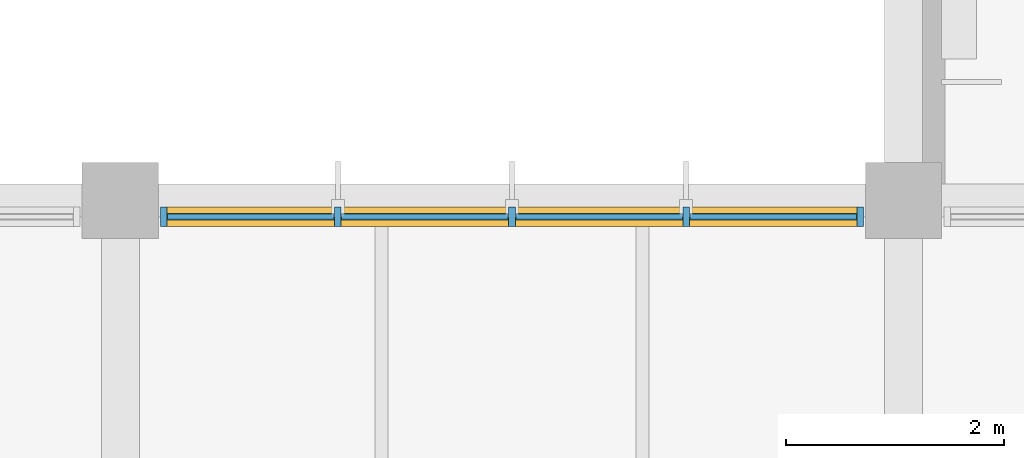
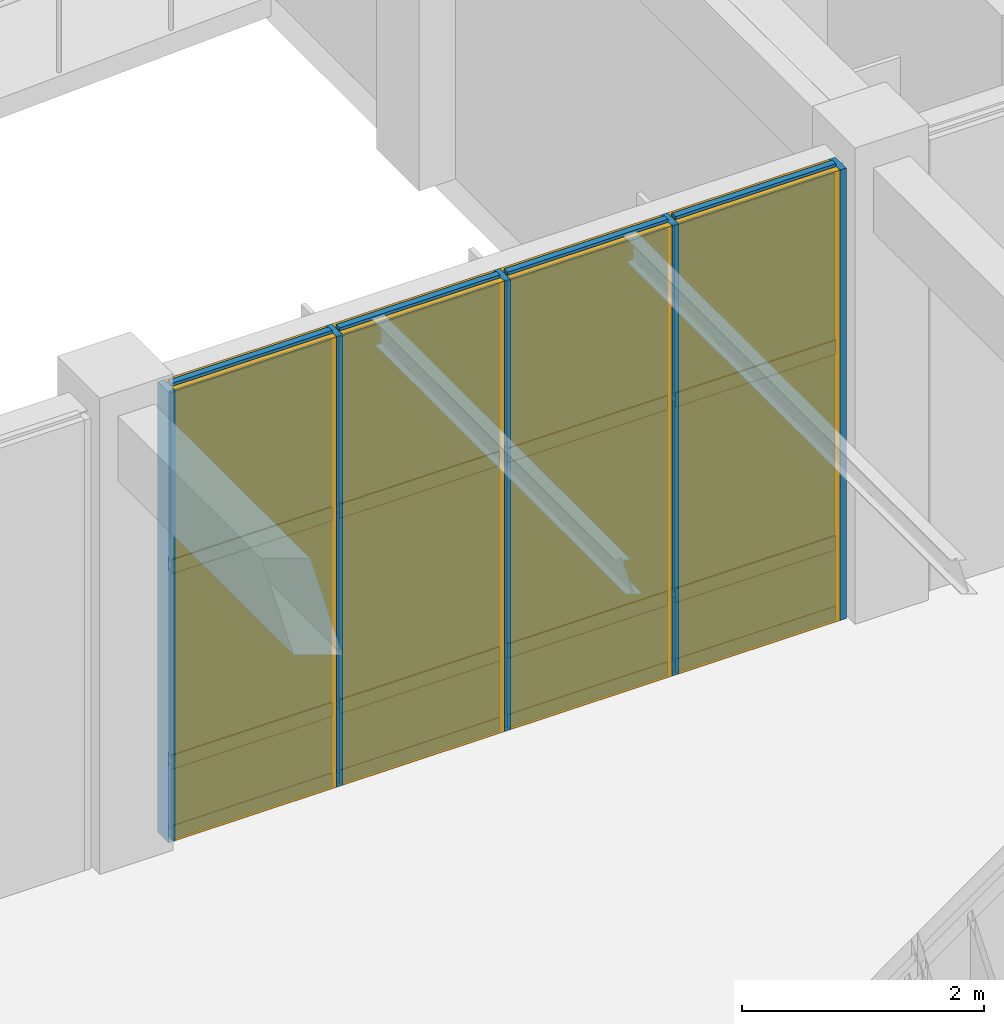
# One storey, part 75 of 122: 21 members, 12 plates, 1 curtain wall.
"""IFC4 building model written with IfcOpenShell, lengths in metres."""

from ifc_helpers import new_model, si_unit, direction, frame, frame_2d, origin, origin_2d, place, context, subcontext, project, spatial, rectangle, extrude, material, layer, layer_set, material_profile, profile_set, type_object, element, aggregate, save


model = new_model("IFC4")

# Units and contexts
model_context = context("Model", 3, precision=1e-05, world=origin(), true_north=direction((0.0, 1.0)))
body_context = subcontext(model_context, "Body", "Model", "MODEL_VIEW")
ifc_project = project(units=[si_unit("LENGTHUNIT", "METRE"), si_unit("AREAUNIT", "SQUARE_METRE"), si_unit("VOLUMEUNIT", "CUBIC_METRE"), si_unit("PLANEANGLEUNIT", "RADIAN"), si_unit("MASSUNIT", "GRAM", prefix="KILO")], contexts=[model_context])

# Member
ifc_material_1 = material(Name="Anodised Bronze Aluminium 6063-T6", Category="aluminium")
ifc_material_profile_1 = material_profile(ifc_material_1, rectangle(XDim=0.06005859375, YDim=0.179931640625, at=origin_2d()), Name="ALU MULLION 60x180")
ifc_profile_set_1 = profile_set([ifc_material_profile_1], Name="Anodised Bronze Aluminium 6063-T6")
member_type_1 = type_object("IfcMemberType", Name="Curtain-Wall Primary Mullion 60x180", PredefinedType="MULLION", material=ifc_profile_set_1)
site_placement = place(None, origin())
building_placement = place(site_placement, origin())
storey_placement = place(building_placement, origin())
member_1_placement = place(storey_placement, frame((43.60009765625, 51.64990234375, 0.0), z_axis=(0.0, 0.0, 1.0), x_axis=(1.0, 0.0, 0.0)))
member_1 = element("IfcMember", 1, at=member_1_placement, type_object=member_type_1, Name="Mullion CWM-01 CW-WLNK-N-L00-B3-M01", PredefinedType="MULLION", context=body_context, shape_type="SweptSolid", body=[
    extrude(rectangle(XDim=0.06005859375, YDim=0.179931640625, at=origin_2d()), origin(), (0.0, 0.0, 1.0), 4.5400390625),
])

member_2_placement = place(storey_placement, frame((45.199951171875, 51.64990234375, 0.0), z_axis=(0.0, 0.0, 1.0), x_axis=(1.0, 0.0, 0.0)))
member_2 = element("IfcMember", 2, at=member_2_placement, type_object=member_type_1, Name="Mullion CWM-01 CW-WLNK-N-L00-B3-M02", PredefinedType="MULLION", context=body_context, shape_type="SweptSolid", body=[
    extrude(rectangle(XDim=0.06005859375, YDim=0.179931640625, at=origin_2d()), origin(), (0.0, 0.0, 1.0), 4.5400390625),
])

member_3_placement = place(storey_placement, frame((46.800048828125, 51.64990234375, 0.0), z_axis=(0.0, 0.0, 1.0), x_axis=(1.0, 0.0, 0.0)))
member_3 = element("IfcMember", 3, at=member_3_placement, type_object=member_type_1, Name="Mullion CWM-01 CW-WLNK-N-L00-B3-M03", PredefinedType="MULLION", context=body_context, shape_type="SweptSolid", body=[
    extrude(rectangle(XDim=0.06005859375, YDim=0.179931640625, at=origin_2d()), origin(), (0.0, 0.0, 1.0), 4.5400390625),
])

member_4_placement = place(storey_placement, frame((48.39990234375, 51.64990234375, 0.0), z_axis=(0.0, 0.0, 1.0), x_axis=(1.0, 0.0, 0.0)))
member_4 = element("IfcMember", 4, at=member_4_placement, type_object=member_type_1, Name="Mullion CWM-01 CW-WLNK-N-L00-B3-M04", PredefinedType="MULLION", context=body_context, shape_type="SweptSolid", body=[
    extrude(rectangle(XDim=0.06005859375, YDim=0.179931640625, at=origin_2d()), origin(), (0.0, 0.0, 1.0), 4.5400390625),
])

member_5_placement = place(storey_placement, frame((50.0, 51.64990234375, 0.0), z_axis=(0.0, 0.0, 1.0), x_axis=(1.0, 0.0, 0.0)))
member_5 = element("IfcMember", 5, at=member_5_placement, type_object=member_type_1, Name="Mullion CWM-01 CW-WLNK-N-L00-B3-M05", PredefinedType="MULLION", context=body_context, shape_type="SweptSolid", body=[
    extrude(rectangle(XDim=0.06005859375, YDim=0.179931640625, at=origin_2d()), origin(), (0.0, 0.0, 1.0), 4.5400390625),
])

ifc_material_profile_2 = material_profile(ifc_material_1, rectangle(XDim=0.06005859375, YDim=0.139892578125, at=origin_2d()), Name="ALU TRANSOM 60x140")
ifc_profile_set_2 = profile_set([ifc_material_profile_2], Name="Anodised Bronze Aluminium 6063-T6")
member_type_2 = type_object("IfcMemberType", Name="Curtain-Wall Transom 60x140", PredefinedType="USERDEFINED", material=ifc_profile_set_2)
member_6_placement = place(storey_placement, frame((43.635009765625, 51.64990234375, 0.0400390625), z_axis=(1.0, 0.0, 0.0), x_axis=(0.0, 1.0, 0.0)))
member_6 = element("IfcMember", 6, at=member_6_placement, type_object=member_type_2, Name="Transom CWT-01 CW-WLNK-N-L00-B3-T01.1", ObjectType="TRANSOM", PredefinedType="USERDEFINED", context=body_context, shape_type="SweptSolid", body=[
    extrude(rectangle(XDim=0.06005859375, YDim=0.139892578125, at=origin_2d()), origin(), (0.0, 0.0, 1.0), 1.530029296875),
])

member_7_placement = place(storey_placement, frame((43.635009765625, 51.64990234375, 0.75), z_axis=(1.0, 0.0, 0.0), x_axis=(0.0, 1.0, 0.0)))
member_7 = element("IfcMember", 7, at=member_7_placement, type_object=member_type_2, Name="Transom CWT-01 CW-WLNK-N-L00-B3-T01.2", ObjectType="TRANSOM", PredefinedType="USERDEFINED", context=body_context, shape_type="SweptSolid", body=[
    extrude(rectangle(XDim=0.06005859375, YDim=0.139892578125, at=origin_2d()), origin(), (0.0, 0.0, 1.0), 1.530029296875),
])

member_8_placement = place(storey_placement, frame((43.635009765625, 51.64990234375, 2.720703125), z_axis=(1.0, 0.0, 0.0), x_axis=(0.0, 1.0, 0.0)))
member_8 = element("IfcMember", 8, at=member_8_placement, type_object=member_type_2, Name="Transom CWT-01 CW-WLNK-N-L00-B3-T01.3", ObjectType="TRANSOM", PredefinedType="USERDEFINED", context=body_context, shape_type="SweptSolid", body=[
    extrude(rectangle(XDim=0.06005859375, YDim=0.139892578125, at=origin_2d()), origin(), (0.0, 0.0, 1.0), 1.530029296875),
])

member_9_placement = place(storey_placement, frame((43.635009765625, 51.64990234375, 4.5), z_axis=(1.0, 0.0, 0.0), x_axis=(0.0, 1.0, 0.0)))
member_9 = element("IfcMember", 9, at=member_9_placement, type_object=member_type_2, Name="Transom CWT-01 CW-WLNK-N-L00-B3-T01.4", ObjectType="TRANSOM", PredefinedType="USERDEFINED", context=body_context, shape_type="SweptSolid", body=[
    extrude(rectangle(XDim=0.06005859375, YDim=0.139892578125, at=origin_2d()), origin(), (0.0, 0.0, 1.0), 1.530029296875),
])

member_10_placement = place(storey_placement, frame((45.235107421875, 51.64990234375, 0.0400390625), z_axis=(1.0, 0.0, 0.0), x_axis=(0.0, 1.0, 0.0)))
member_10 = element("IfcMember", 10, at=member_10_placement, type_object=member_type_2, Name="Transom CWT-01 CW-WLNK-N-L00-B3-T02.1", ObjectType="TRANSOM", PredefinedType="USERDEFINED", context=body_context, shape_type="SweptSolid", body=[
    extrude(rectangle(XDim=0.06005859375, YDim=0.139892578125, at=origin_2d()), origin(), (0.0, 0.0, 1.0), 1.52978515625),
])

member_11_placement = place(storey_placement, frame((45.235107421875, 51.64990234375, 0.75), z_axis=(1.0, 0.0, 0.0), x_axis=(0.0, 1.0, 0.0)))
member_11 = element("IfcMember", 11, at=member_11_placement, type_object=member_type_2, Name="Transom CWT-01 CW-WLNK-N-L00-B3-T02.2", ObjectType="TRANSOM", PredefinedType="USERDEFINED", context=body_context, shape_type="SweptSolid", body=[
    extrude(rectangle(XDim=0.06005859375, YDim=0.139892578125, at=origin_2d()), origin(), (0.0, 0.0, 1.0), 1.52978515625),
])

member_12_placement = place(storey_placement, frame((45.235107421875, 51.64990234375, 2.720703125), z_axis=(1.0, 0.0, 0.0), x_axis=(0.0, 1.0, 0.0)))
member_12 = element("IfcMember", 12, at=member_12_placement, type_object=member_type_2, Name="Transom CWT-01 CW-WLNK-N-L00-B3-T02.3", ObjectType="TRANSOM", PredefinedType="USERDEFINED", context=body_context, shape_type="SweptSolid", body=[
    extrude(rectangle(XDim=0.06005859375, YDim=0.139892578125, at=origin_2d()), origin(), (0.0, 0.0, 1.0), 1.52978515625),
])

member_13_placement = place(storey_placement, frame((45.235107421875, 51.64990234375, 4.5), z_axis=(1.0, 0.0, 0.0), x_axis=(0.0, 1.0, 0.0)))
member_13 = element("IfcMember", 13, at=member_13_placement, type_object=member_type_2, Name="Transom CWT-01 CW-WLNK-N-L00-B3-T02.4", ObjectType="TRANSOM", PredefinedType="USERDEFINED", context=body_context, shape_type="SweptSolid", body=[
    extrude(rectangle(XDim=0.06005859375, YDim=0.139892578125, at=origin_2d()), origin(), (0.0, 0.0, 1.0), 1.52978515625),
])

member_14_placement = place(storey_placement, frame((46.8349609375, 51.64990234375, 0.0400390625), z_axis=(1.0, 0.0, 0.0), x_axis=(0.0, 1.0, 0.0)))
member_14 = element("IfcMember", 14, at=member_14_placement, type_object=member_type_2, Name="Transom CWT-01 CW-WLNK-N-L00-B3-T03.1", ObjectType="TRANSOM", PredefinedType="USERDEFINED", context=body_context, shape_type="SweptSolid", body=[
    extrude(rectangle(XDim=0.06005859375, YDim=0.139892578125, at=origin_2d()), origin(), (0.0, 0.0, 1.0), 1.530029296875),
])

member_15_placement = place(storey_placement, frame((46.8349609375, 51.64990234375, 0.75), z_axis=(1.0, 0.0, 0.0), x_axis=(0.0, 1.0, 0.0)))
member_15 = element("IfcMember", 15, at=member_15_placement, type_object=member_type_2, Name="Transom CWT-01 CW-WLNK-N-L00-B3-T03.2", ObjectType="TRANSOM", PredefinedType="USERDEFINED", context=body_context, shape_type="SweptSolid", body=[
    extrude(rectangle(XDim=0.06005859375, YDim=0.139892578125, at=origin_2d()), origin(), (0.0, 0.0, 1.0), 1.530029296875),
])

member_16_placement = place(storey_placement, frame((46.8349609375, 51.64990234375, 2.720703125), z_axis=(1.0, 0.0, 0.0), x_axis=(0.0, 1.0, 0.0)))
member_16 = element("IfcMember", 16, at=member_16_placement, type_object=member_type_2, Name="Transom CWT-01 CW-WLNK-N-L00-B3-T03.3", ObjectType="TRANSOM", PredefinedType="USERDEFINED", context=body_context, shape_type="SweptSolid", body=[
    extrude(rectangle(XDim=0.06005859375, YDim=0.139892578125, at=origin_2d()), origin(), (0.0, 0.0, 1.0), 1.530029296875),
])

member_17_placement = place(storey_placement, frame((46.8349609375, 51.64990234375, 4.5), z_axis=(1.0, 0.0, 0.0), x_axis=(0.0, 1.0, 0.0)))
member_17 = element("IfcMember", 17, at=member_17_placement, type_object=member_type_2, Name="Transom CWT-01 CW-WLNK-N-L00-B3-T03.4", ObjectType="TRANSOM", PredefinedType="USERDEFINED", context=body_context, shape_type="SweptSolid", body=[
    extrude(rectangle(XDim=0.06005859375, YDim=0.139892578125, at=origin_2d()), origin(), (0.0, 0.0, 1.0), 1.530029296875),
])

member_18_placement = place(storey_placement, frame((48.43505859375, 51.64990234375, 0.0400390625), z_axis=(1.0, 0.0, 0.0), x_axis=(0.0, 1.0, 0.0)))
member_18 = element("IfcMember", 18, at=member_18_placement, type_object=member_type_2, Name="Transom CWT-01 CW-WLNK-N-L00-B3-T04.1", ObjectType="TRANSOM", PredefinedType="USERDEFINED", context=body_context, shape_type="SweptSolid", body=[
    extrude(rectangle(XDim=0.06005859375, YDim=0.139892578125, at=origin_2d()), origin(), (0.0, 0.0, 1.0), 1.530029296875),
])

member_19_placement = place(storey_placement, frame((48.43505859375, 51.64990234375, 0.75), z_axis=(1.0, 0.0, 0.0), x_axis=(0.0, 1.0, 0.0)))
member_19 = element("IfcMember", 19, at=member_19_placement, type_object=member_type_2, Name="Transom CWT-01 CW-WLNK-N-L00-B3-T04.2", ObjectType="TRANSOM", PredefinedType="USERDEFINED", context=body_context, shape_type="SweptSolid", body=[
    extrude(rectangle(XDim=0.06005859375, YDim=0.139892578125, at=origin_2d()), origin(), (0.0, 0.0, 1.0), 1.530029296875),
])

member_20_placement = place(storey_placement, frame((48.43505859375, 51.64990234375, 2.720703125), z_axis=(1.0, 0.0, 0.0), x_axis=(0.0, 1.0, 0.0)))
member_20 = element("IfcMember", 20, at=member_20_placement, type_object=member_type_2, Name="Transom CWT-01 CW-WLNK-N-L00-B3-T04.3", ObjectType="TRANSOM", PredefinedType="USERDEFINED", context=body_context, shape_type="SweptSolid", body=[
    extrude(rectangle(XDim=0.06005859375, YDim=0.139892578125, at=origin_2d()), origin(), (0.0, 0.0, 1.0), 1.530029296875),
])

member_21_placement = place(storey_placement, frame((48.43505859375, 51.64990234375, 4.5), z_axis=(1.0, 0.0, 0.0), x_axis=(0.0, 1.0, 0.0)))
member_21 = element("IfcMember", 21, at=member_21_placement, type_object=member_type_2, Name="Transom CWT-01 CW-WLNK-N-L00-B3-T04.4", ObjectType="TRANSOM", PredefinedType="USERDEFINED", context=body_context, shape_type="SweptSolid", body=[
    extrude(rectangle(XDim=0.06005859375, YDim=0.139892578125, at=origin_2d()), origin(), (0.0, 0.0, 1.0), 1.530029296875),
])

# Plate
ifc_material_2 = material(Name="Insulated Bronze Aluminium Spandrel Panel", Category="aluminium")
ifc_layer_1 = layer(ifc_material_2, 0.050048828125, Name="Insulated Bronze Aluminium Spandrel Panel")
ifc_layer_set_1 = layer_set([ifc_layer_1], Name="Insulated Bronze Aluminium Spandrel Panel")
plate_type_1 = type_object("IfcPlateType", Name="Insulated Anodised Aluminium Spandrel Cassette 50", PredefinedType="CURTAIN_PANEL", material=ifc_layer_set_1)
plate_1_placement = place(storey_placement, frame((44.39990234375, 51.64990234375, 0.070068359375), z_axis=(0.0, 0.0, 1.0), x_axis=(1.0, 0.0, 0.0)))
plate_1 = element("IfcPlate", 22, at=plate_1_placement, type_object=plate_type_1, Name="Curtain Panel CWP-03 CW-WLNK-N-L00-B3-P01.1", PredefinedType="CURTAIN_PANEL", context=body_context, shape_type="SweptSolid", body=[
    extrude(rectangle(XDim=1.530029296875, YDim=0.050048828125, at=origin_2d()), origin(), (0.0, 0.0, 1.0), 0.64990234375),
])

plate_2_placement = place(storey_placement, frame((46.0, 51.64990234375, 0.070068359375), z_axis=(0.0, 0.0, 1.0), x_axis=(1.0, 0.0, 0.0)))
plate_2 = element("IfcPlate", 23, at=plate_2_placement, type_object=plate_type_1, Name="Curtain Panel CWP-03 CW-WLNK-N-L00-B3-P02.1", PredefinedType="CURTAIN_PANEL", context=body_context, shape_type="SweptSolid", body=[
    extrude(rectangle(XDim=1.530029296875, YDim=0.050048828125, at=origin_2d()), origin(), (0.0, 0.0, 1.0), 0.64990234375),
])

plate_3_placement = place(storey_placement, frame((47.60009765625, 51.64990234375, 0.070068359375), z_axis=(0.0, 0.0, 1.0), x_axis=(1.0, 0.0, 0.0)))
plate_3 = element("IfcPlate", 24, at=plate_3_placement, type_object=plate_type_1, Name="Curtain Panel CWP-03 CW-WLNK-N-L00-B3-P03.1", PredefinedType="CURTAIN_PANEL", context=body_context, shape_type="SweptSolid", body=[
    extrude(rectangle(XDim=1.530029296875, YDim=0.050048828125, at=origin_2d()), origin(), (0.0, 0.0, 1.0), 0.64990234375),
])

plate_4_placement = place(storey_placement, frame((49.199951171875, 51.64990234375, 0.070068359375), z_axis=(0.0, 0.0, 1.0), x_axis=(1.0, 0.0, 0.0)))
plate_4 = element("IfcPlate", 25, at=plate_4_placement, type_object=plate_type_1, Name="Curtain Panel CWP-03 CW-WLNK-N-L00-B3-P04.1", PredefinedType="CURTAIN_PANEL", context=body_context, shape_type="SweptSolid", body=[
    extrude(rectangle(XDim=1.530029296875, YDim=0.050048828125, at=origin_2d()), origin(), (0.0, 0.0, 1.0), 0.64990234375),
])

ifc_material_3 = material(Name="Solar-Control Tempered Double Glazing", Category="glass")
ifc_layer_2 = layer(ifc_material_3, 0.0380859375, Name="Solar-Control Tempered Double Glazing")
ifc_layer_set_2 = layer_set([ifc_layer_2], Name="Solar-Control Tempered Double Glazing")
plate_type_2 = type_object("IfcPlateType", Name="Solar-Control Vision Glazing Unit 38", PredefinedType="CURTAIN_PANEL", material=ifc_layer_set_2)
plate_5_placement = place(storey_placement, frame((44.39990234375, 51.64990234375, 0.77978515625), z_axis=(0.0, 0.0, 1.0), x_axis=(1.0, 0.0, 0.0)))
plate_5 = element("IfcPlate", 26, at=plate_5_placement, type_object=plate_type_2, Name="Curtain Panel CWP-02 CW-WLNK-N-L00-B3-P01.2", PredefinedType="CURTAIN_PANEL", context=body_context, shape_type="SweptSolid", body=[
    extrude(rectangle(XDim=1.530029296875, YDim=0.0380859375, at=origin_2d()), origin(), (0.0, 0.0, 1.0), 1.910888671875),
])

plate_6_placement = place(storey_placement, frame((44.39990234375, 51.64990234375, 2.750732421875), z_axis=(0.0, 0.0, 1.0), x_axis=(1.0, 0.0, 0.0)))
plate_6 = element("IfcPlate", 27, at=plate_6_placement, type_object=plate_type_2, Name="Curtain Panel CWP-02 CW-WLNK-N-L00-B3-P01.3", PredefinedType="CURTAIN_PANEL", context=body_context, shape_type="SweptSolid", body=[
    extrude(rectangle(XDim=1.530029296875, YDim=0.0380859375, at=origin_2d()), origin(), (0.0, 0.0, 1.0), 1.71923828125),
])

plate_7_placement = place(storey_placement, frame((46.0, 51.64990234375, 0.77978515625), z_axis=(0.0, 0.0, 1.0), x_axis=(1.0, 0.0, 0.0)))
plate_7 = element("IfcPlate", 28, at=plate_7_placement, type_object=plate_type_2, Name="Curtain Panel CWP-02 CW-WLNK-N-L00-B3-P02.2", PredefinedType="CURTAIN_PANEL", context=body_context, shape_type="SweptSolid", body=[
    extrude(rectangle(XDim=1.530029296875, YDim=0.0380859375, at=origin_2d()), origin(), (0.0, 0.0, 1.0), 1.910888671875),
])

plate_8_placement = place(storey_placement, frame((46.0, 51.64990234375, 2.750732421875), z_axis=(0.0, 0.0, 1.0), x_axis=(1.0, 0.0, 0.0)))
plate_8 = element("IfcPlate", 29, at=plate_8_placement, type_object=plate_type_2, Name="Curtain Panel CWP-02 CW-WLNK-N-L00-B3-P02.3", PredefinedType="CURTAIN_PANEL", context=body_context, shape_type="SweptSolid", body=[
    extrude(rectangle(XDim=1.530029296875, YDim=0.0380859375, at=origin_2d()), origin(), (0.0, 0.0, 1.0), 1.71923828125),
])

plate_9_placement = place(storey_placement, frame((47.60009765625, 51.64990234375, 0.77978515625), z_axis=(0.0, 0.0, 1.0), x_axis=(1.0, 0.0, 0.0)))
plate_9 = element("IfcPlate", 30, at=plate_9_placement, type_object=plate_type_2, Name="Curtain Panel CWP-02 CW-WLNK-N-L00-B3-P03.2", PredefinedType="CURTAIN_PANEL", context=body_context, shape_type="SweptSolid", body=[
    extrude(rectangle(XDim=1.530029296875, YDim=0.0380859375, at=origin_2d()), origin(), (0.0, 0.0, 1.0), 1.910888671875),
])

plate_10_placement = place(storey_placement, frame((47.60009765625, 51.64990234375, 2.750732421875), z_axis=(0.0, 0.0, 1.0), x_axis=(1.0, 0.0, 0.0)))
plate_10 = element("IfcPlate", 31, at=plate_10_placement, type_object=plate_type_2, Name="Curtain Panel CWP-02 CW-WLNK-N-L00-B3-P03.3", PredefinedType="CURTAIN_PANEL", context=body_context, shape_type="SweptSolid", body=[
    extrude(rectangle(XDim=1.530029296875, YDim=0.0380859375, at=origin_2d()), origin(), (0.0, 0.0, 1.0), 1.71923828125),
])

plate_11_placement = place(storey_placement, frame((49.199951171875, 51.64990234375, 0.77978515625), z_axis=(0.0, 0.0, 1.0), x_axis=(1.0, 0.0, 0.0)))
plate_11 = element("IfcPlate", 32, at=plate_11_placement, type_object=plate_type_2, Name="Curtain Panel CWP-02 CW-WLNK-N-L00-B3-P04.2", PredefinedType="CURTAIN_PANEL", context=body_context, shape_type="SweptSolid", body=[
    extrude(rectangle(XDim=1.530029296875, YDim=0.0380859375, at=origin_2d()), origin(), (0.0, 0.0, 1.0), 1.910888671875),
])

plate_12_placement = place(storey_placement, frame((49.199951171875, 51.64990234375, 2.750732421875), z_axis=(0.0, 0.0, 1.0), x_axis=(1.0, 0.0, 0.0)))
plate_12 = element("IfcPlate", 33, at=plate_12_placement, type_object=plate_type_2, Name="Curtain Panel CWP-02 CW-WLNK-N-L00-B3-P04.3", PredefinedType="CURTAIN_PANEL", context=body_context, shape_type="SweptSolid", body=[
    extrude(rectangle(XDim=1.530029296875, YDim=0.0380859375, at=origin_2d()), origin(), (0.0, 0.0, 1.0), 1.71923828125),
])

# Site, building, storey
site = spatial("IfcSite", under=ifc_project, at=site_placement, CompositionType="ELEMENT")
building = spatial("IfcBuilding", under=site, at=building_placement, Name="Tazoul Stagehouse", CompositionType="ELEMENT")
storey = spatial("IfcBuildingStorey", under=building, at=storey_placement, Name="L00", CompositionType="ELEMENT", Elevation=0.0)

# Curtain wall
curtain_wall_type = type_object("IfcCurtainWallType", Name="Atrium Clerestory Glazed Wall", PredefinedType="NOTDEFINED", material=ifc_material_1)
curtain_wall_placement = place(storey_placement, frame((43.60009765625, 51.64990234375, 0.0), z_axis=(0.0, 0.0, 1.0), x_axis=(1.0, 0.0, 0.0)))
curtain_wall = element("IfcCurtainWall", 34, at=curtain_wall_placement, inside=storey, type_object=curtain_wall_type, Name="L00 Curtain Wall CW-05 (CW-WLNK-N-L00-B3)", PredefinedType="NOTDEFINED", context=body_context, shape_type="SweptSolid", body=[
    extrude(rectangle(XDim=6.39990234375, YDim=0.179931640625, at=frame_2d((3.199951171875, 0.0))), origin(), (0.0, 0.0, 1.0), 4.5400390625),
])

aggregate(curtain_wall, [member_1, member_2, member_3, member_4, member_5, member_6, member_7, member_8, member_9, plate_1, plate_5, plate_6, member_10, member_11, member_12, member_13, plate_2, plate_7, plate_8, member_14, member_15, member_16, member_17, plate_3, plate_9, plate_10, member_18, member_19, member_20, member_21, plate_4, plate_11, plate_12])

save(model, "model.ifc")
